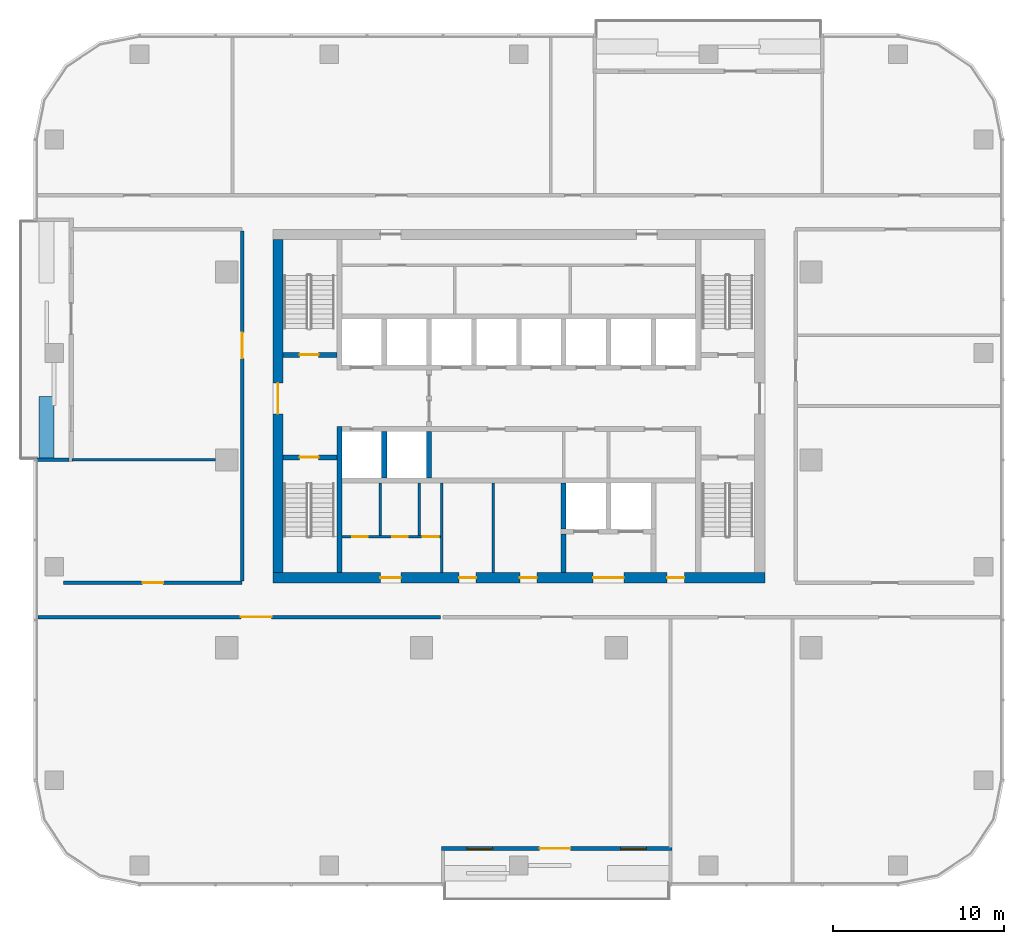
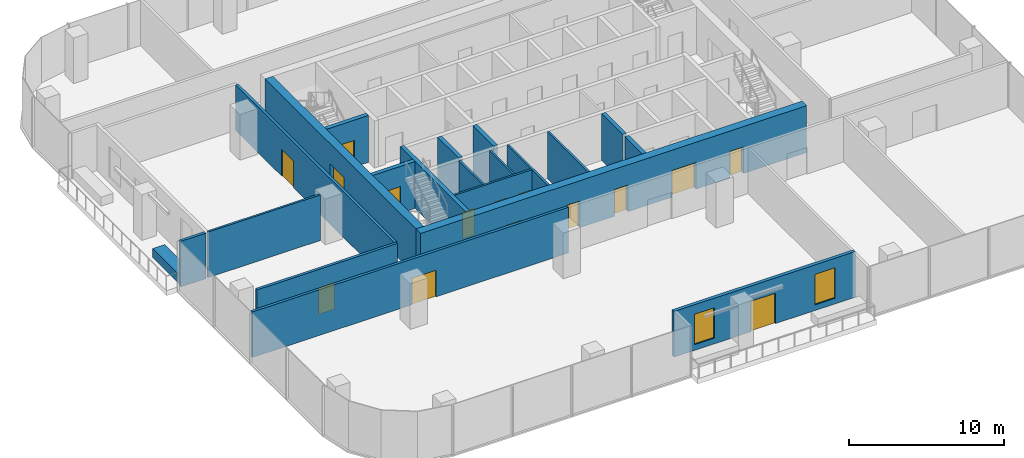
# One storey, part 7 of 14: 21 walls, 15 doors, 2 windows, 17 openings.
"""IFC4 building model written with IfcOpenShell, lengths in metres."""

from ifc_helpers import new_model, si_unit, direction, frame, frame_2d, origin, place, context, subcontext, project, spatial, rectangle, extrude, material, layer, layer_set, type_object, element, fill, save


model = new_model("IFC4")

# Units and contexts
model_context = context("Model", 3, precision=1e-05, world=origin(), true_north=direction((0.0, 1.0)))
body_context = subcontext(model_context, "Body", "Model", "MODEL_VIEW")
ifc_project = project(units=[si_unit("LENGTHUNIT", "METRE"), si_unit("AREAUNIT", "SQUARE_METRE"), si_unit("VOLUMEUNIT", "CUBIC_METRE"), si_unit("PLANEANGLEUNIT", "RADIAN"), si_unit("MASSUNIT", "GRAM", prefix="KILO")], contexts=[model_context])

# Site, building, storey
site_placement = place(None, origin())
site = spatial("IfcSite", under=ifc_project, at=site_placement, CompositionType="ELEMENT")
building_placement = place(site_placement, origin())
building = spatial("IfcBuilding", under=site, at=building_placement, Name="Mopane Tessera Tower", CompositionType="ELEMENT")
storey_placement = place(building_placement, frame((0.0, 0.0, 251.0)))
storey = spatial("IfcBuildingStorey", under=building, at=storey_placement, Name="L54", CompositionType="ELEMENT", Elevation=251.0)

# Wall, openings, doors
ifc_material_1 = material(Name="Fire-rated gypsum board partition")
ifc_layer_1 = layer(ifc_material_1, 0.14990234375)
ifc_layer_set_1 = layer_set([ifc_layer_1], Name="Fire-rated gypsum board partition")
wall_type_1 = type_object("IfcWallType", Name="Core room partition 150 mm", PredefinedType="PARTITIONING", material=ifc_layer_set_1)
wall_1_placement = place(storey_placement, frame((-10.35009765625, -4.5, 0.0), z_axis=(0.0, 0.0, 1.0), x_axis=(1.0, 0.0, 0.0)))
wall_1 = element("IfcWall", 1, at=wall_1_placement, inside=storey, type_object=wall_type_1, Name="L54 WC partition", PredefinedType="PARTITIONING", context=body_context, shape_type="SweptSolid", body=[
    extrude(rectangle(XDim=5.775146484375, YDim=0.14990234375, at=frame_2d((2.8876953125, 0.0))), origin(), (0.0, 0.0, 1.0), 3.699951171875),
])
opening_1_placement = place(wall_1_placement, frame((0.60009765625, 0.0, 0.0)))
opening_1 = element("IfcOpeningElement", 2, at=opening_1_placement, cuts=wall_1, Name="Opening WD1", PredefinedType="OPENING", context=body_context, shape_type="SweptSolid", body=[
    extrude(rectangle(XDim=0.89990234375, YDim=2.10009765625, at=frame_2d((0.449951171875, 1.050048828125))), frame((0.0, 0.0869140625, 0.0), z_axis=(0.0, -1.0, 0.0), x_axis=(1.0, 0.0, 0.0)), (0.0, 0.0, 1.0), 0.173828125),
])
opening_2_placement = place(wall_1_placement, frame((2.93994140625, 0.0, 0.0)))
opening_2 = element("IfcOpeningElement", 3, at=opening_2_placement, cuts=wall_1, Name="Opening WD1", PredefinedType="OPENING", context=body_context, shape_type="SweptSolid", body=[
    extrude(rectangle(XDim=0.89990234375, YDim=2.10009765625, at=frame_2d((0.449951171875, 1.050048828125))), frame((0.0, 0.0869140625, 0.0), z_axis=(0.0, -1.0, 0.0), x_axis=(1.0, 0.0, 0.0)), (0.0, 0.0, 1.0), 0.173828125),
])
opening_3_placement = place(wall_1_placement, frame((4.715087890625, 0.0, 0.0)))
opening_3 = element("IfcOpeningElement", 4, at=opening_3_placement, cuts=wall_1, Name="Opening WD2", PredefinedType="OPENING", context=body_context, shape_type="SweptSolid", body=[
    extrude(rectangle(XDim=0.949951171875, YDim=2.10009765625, at=frame_2d((0.47509765625, 1.050048828125))), frame((0.0, 0.0869140625, 0.0), z_axis=(0.0, -1.0, 0.0), x_axis=(1.0, 0.0, 0.0)), (0.0, 0.0, 1.0), 0.173828125),
])
ifc_material_2 = material(Name="Timber door", Category="wood")
door_type_1 = type_object("IfcDoorType", Name="Accessible WC door 950 x 2100", OperationType="SINGLE_SWING_LEFT", PredefinedType="DOOR", material=ifc_material_2)
door_1_placement = place(opening_3_placement, origin())
door_1 = element("IfcDoor", 5, at=door_1_placement, inside=storey, type_object=door_type_1, Name="L54 Accessible WC door", OperationType="SINGLE_SWING_LEFT", OverallHeight=2.10009765625, OverallWidth=0.949951171875, PredefinedType="DOOR", context=body_context, shape_type="SweptSolid", body=[
    extrude(rectangle(XDim=0.949951171875, YDim=2.10009765625, at=frame_2d((0.47509765625, 1.050048828125))), frame((0.0, 0.02490234375, 0.0), z_axis=(0.0, -1.0, 0.0), x_axis=(1.0, 0.0, 0.0)), (0.0, 0.0, 1.0), 0.050048828125),
])
fill(opening_3, door_1)
ifc_material_3 = material(Name="Timber door", Category="wood")
door_type_2 = type_object("IfcDoorType", Name="WC cubicle door 900 x 2100", OperationType="SINGLE_SWING_LEFT", PredefinedType="DOOR", material=ifc_material_3)
door_2_placement = place(opening_1_placement, origin())
door_2 = element("IfcDoor", 6, at=door_2_placement, inside=storey, type_object=door_type_2, Name="L54 Men's WC door", OperationType="SINGLE_SWING_LEFT", OverallHeight=2.10009765625, OverallWidth=0.89990234375, PredefinedType="DOOR", context=body_context, shape_type="SweptSolid", body=[
    extrude(rectangle(XDim=0.89990234375, YDim=2.10009765625, at=frame_2d((0.449951171875, 1.050048828125))), frame((0.0, 0.02490234375, 0.0), z_axis=(0.0, -1.0, 0.0), x_axis=(1.0, 0.0, 0.0)), (0.0, 0.0, 1.0), 0.050048828125),
])
fill(opening_1, door_2)
door_3_placement = place(opening_2_placement, origin())
door_3 = element("IfcDoor", 7, at=door_3_placement, inside=storey, type_object=door_type_2, Name="L54 Women's WC door", OperationType="SINGLE_SWING_LEFT", OverallHeight=2.10009765625, OverallWidth=0.89990234375, PredefinedType="DOOR", context=body_context, shape_type="SweptSolid", body=[
    extrude(rectangle(XDim=0.89990234375, YDim=2.10009765625, at=frame_2d((0.449951171875, 1.050048828125))), frame((0.0, 0.02490234375, 0.0), z_axis=(0.0, -1.0, 0.0), x_axis=(1.0, 0.0, 0.0)), (0.0, 0.0, 1.0), 0.050048828125),
])
fill(opening_2, door_3)

# Walls
for number, where, z_axis, x_axis, name in (
    (8, (-8.10009765625, -4.425048828125, 0.0), (0.0, 0.0, 1.0), (0.0, 1.0, 0.0), "L54 WC partition"),
    (9, (-5.820068359375, -4.425048828125, 0.0), (0.0, 0.0, 1.0), (0.0, 1.0, 0.0), "L54 WC partition"),
):
    element("IfcWall", number, at=place(storey_placement, frame(where, z_axis=z_axis, x_axis=x_axis)), inside=storey, type_object=wall_type_1, Name=name, PredefinedType="PARTITIONING", context=body_context, shape_type="SweptSolid", body=[
        extrude(rectangle(XDim=3.074951171875, YDim=0.14990234375, at=frame_2d((1.53759765625, 0.0))), origin(), (0.0, 0.0, 1.0), 3.699951171875),
    ])
for number, where, z_axis, x_axis, name in (
    (10, (-4.5, -6.60009765625, 0.0), (0.0, 0.0, 1.0), (0.0, 1.0, 0.0), "L54 Room partition"),
    (11, (-1.5, -6.60009765625, 0.0), (0.0, 0.0, 1.0), (0.0, 1.0, 0.0), "L54 Room partition"),
):
    element("IfcWall", number, at=place(storey_placement, frame(where, z_axis=z_axis, x_axis=x_axis)), inside=storey, type_object=wall_type_1, Name=name, PredefinedType="PARTITIONING", context=body_context, shape_type="SweptSolid", body=[
        extrude(rectangle(XDim=5.25, YDim=0.14990234375, at=frame_2d((2.625, 0.0))), origin(), (0.0, 0.0, 1.0), 3.699951171875),
    ])

# Wall, openings, doors
ifc_material_4 = material(Name="Concrete C70/85", Category="concrete")
ifc_layer_2 = layer(ifc_material_4, 0.60009765625)
ifc_layer_set_2 = layer_set([ifc_layer_2], Name="Concrete C70/85")
wall_type_2 = type_object("IfcWallType", Name="Core shear wall 600 mm", PredefinedType="SHEAR", material=ifc_layer_set_2)
wall_2_placement = place(storey_placement, frame((-14.39990234375, -6.89990234375, 0.0), z_axis=(0.0, 0.0, 1.0), x_axis=(1.0, 0.0, 0.0)))
wall_2 = element("IfcWall", 12, at=wall_2_placement, inside=storey, type_object=wall_type_2, Name="L54 Core wall south", PredefinedType="SHEAR", context=body_context, shape_type="SweptSolid", body=[
    extrude(rectangle(XDim=28.7998046875, YDim=0.60009765625, at=frame_2d((14.39990234375, 0.0))), origin(), (0.0, 0.0, 1.0), 3.699951171875),
])
opening_4_placement = place(wall_2_placement, frame((6.300048828125, 0.0, 0.0)))
opening_4 = element("IfcOpeningElement", 13, at=opening_4_placement, cuts=wall_2, Name="Opening WD3", PredefinedType="OPENING", context=body_context, shape_type="SweptSolid", body=[
    extrude(rectangle(XDim=1.199951171875, YDim=2.10009765625, at=frame_2d((0.60009765625, 1.050048828125))), frame((0.0, 0.31201171875, 0.0), z_axis=(0.0, -1.0, 0.0), x_axis=(1.0, 0.0, 0.0)), (0.0, 0.0, 1.0), 0.6240234375),
])
opening_5_placement = place(wall_2_placement, frame((10.89990234375, 0.0, 0.0)))
opening_5 = element("IfcOpeningElement", 14, at=opening_5_placement, cuts=wall_2, Name="Opening RD1", PredefinedType="OPENING", context=body_context, shape_type="SweptSolid", body=[
    extrude(rectangle(XDim=1.0, YDim=2.10009765625, at=frame_2d((0.5, 1.050048828125))), frame((0.0, 0.31201171875, 0.0), z_axis=(0.0, -1.0, 0.0), x_axis=(1.0, 0.0, 0.0)), (0.0, 0.0, 1.0), 0.6240234375),
])
opening_6_placement = place(wall_2_placement, frame((14.46240234375, 0.0, 0.0)))
opening_6 = element("IfcOpeningElement", 15, at=opening_6_placement, cuts=wall_2, Name="Opening RD1", PredefinedType="OPENING", context=body_context, shape_type="SweptSolid", body=[
    extrude(rectangle(XDim=1.0, YDim=2.10009765625, at=frame_2d((0.5, 1.050048828125))), frame((0.0, 0.31201171875, 0.0), z_axis=(0.0, -1.0, 0.0), x_axis=(1.0, 0.0, 0.0)), (0.0, 0.0, 1.0), 0.6240234375),
])
opening_7_placement = place(wall_2_placement, frame((18.75, 0.0, 0.0)))
opening_7 = element("IfcOpeningElement", 16, at=opening_7_placement, cuts=wall_2, Name="Opening SD2", PredefinedType="OPENING", context=body_context, shape_type="SweptSolid", body=[
    extrude(rectangle(XDim=1.800048828125, YDim=2.10009765625, at=frame_2d((0.89990234375, 1.050048828125))), frame((0.0, 0.31201171875, 0.0), z_axis=(0.0, -1.0, 0.0), x_axis=(1.0, 0.0, 0.0)), (0.0, 0.0, 1.0), 0.6240234375),
])
opening_8_placement = place(wall_2_placement, frame((23.08740234375, 0.0, 0.0)))
opening_8 = element("IfcOpeningElement", 17, at=opening_8_placement, cuts=wall_2, Name="Opening RD1", PredefinedType="OPENING", context=body_context, shape_type="SweptSolid", body=[
    extrude(rectangle(XDim=1.0, YDim=2.10009765625, at=frame_2d((0.5, 1.050048828125))), frame((0.0, 0.31201171875, 0.0), z_axis=(0.0, -1.0, 0.0), x_axis=(1.0, 0.0, 0.0)), (0.0, 0.0, 1.0), 0.6240234375),
])
ifc_material_5 = material(Name="Steel fire door", Category="steel")
door_type_3 = type_object("IfcDoorType", Name="Core entrance double door 1800 x 2100", OperationType="DOUBLE_DOOR_SINGLE_SWING", PredefinedType="DOOR", material=ifc_material_5)
door_4_placement = place(opening_7_placement, origin())
door_4 = element("IfcDoor", 18, at=door_4_placement, inside=storey, type_object=door_type_3, Name="L54 Service lobby door", OperationType="DOUBLE_DOOR_SINGLE_SWING", OverallHeight=2.10009765625, OverallWidth=1.800048828125, PredefinedType="DOOR", context=body_context, shape_type="SweptSolid", body=[
    extrude(rectangle(XDim=1.800048828125, YDim=2.10009765625, at=frame_2d((0.89990234375, 1.050048828125))), frame((0.0, 0.02490234375, 0.0), z_axis=(0.0, -1.0, 0.0), x_axis=(1.0, 0.0, 0.0)), (0.0, 0.0, 1.0), 0.050048828125),
])
fill(opening_7, door_4)
ifc_material_6 = material(Name="Timber door", Category="wood")
door_type_4 = type_object("IfcDoorType", Name="Core room door 1000 x 2100", OperationType="SINGLE_SWING_LEFT", PredefinedType="DOOR", material=ifc_material_6)
door_5_placement = place(opening_5_placement, origin())
door_5 = element("IfcDoor", 19, at=door_5_placement, inside=storey, type_object=door_type_4, Name="L54 Room door", OperationType="SINGLE_SWING_LEFT", OverallHeight=2.10009765625, OverallWidth=1.0, PredefinedType="DOOR", context=body_context, shape_type="SweptSolid", body=[
    extrude(rectangle(XDim=1.0, YDim=2.10009765625, at=frame_2d((0.5, 1.050048828125))), frame((0.0, 0.02490234375, 0.0), z_axis=(0.0, -1.0, 0.0), x_axis=(1.0, 0.0, 0.0)), (0.0, 0.0, 1.0), 0.050048828125),
])
fill(opening_5, door_5)
door_6_placement = place(opening_6_placement, origin())
door_6 = element("IfcDoor", 20, at=door_6_placement, inside=storey, type_object=door_type_4, Name="L54 Room door", OperationType="SINGLE_SWING_LEFT", OverallHeight=2.10009765625, OverallWidth=1.0, PredefinedType="DOOR", context=body_context, shape_type="SweptSolid", body=[
    extrude(rectangle(XDim=1.0, YDim=2.10009765625, at=frame_2d((0.5, 1.050048828125))), frame((0.0, 0.02490234375, 0.0), z_axis=(0.0, -1.0, 0.0), x_axis=(1.0, 0.0, 0.0)), (0.0, 0.0, 1.0), 0.050048828125),
])
fill(opening_6, door_6)
door_7_placement = place(opening_8_placement, origin())
door_7 = element("IfcDoor", 21, at=door_7_placement, inside=storey, type_object=door_type_4, Name="L54 Room door", OperationType="SINGLE_SWING_LEFT", OverallHeight=2.10009765625, OverallWidth=1.0, PredefinedType="DOOR", context=body_context, shape_type="SweptSolid", body=[
    extrude(rectangle(XDim=1.0, YDim=2.10009765625, at=frame_2d((0.5, 1.050048828125))), frame((0.0, 0.02490234375, 0.0), z_axis=(0.0, -1.0, 0.0), x_axis=(1.0, 0.0, 0.0)), (0.0, 0.0, 1.0), 0.050048828125),
])
fill(opening_8, door_7)
ifc_material_7 = material(Name="Timber door", Category="wood")
door_type_5 = type_object("IfcDoorType", Name="WC lobby door 1200 x 2100", OperationType="SINGLE_SWING_LEFT", PredefinedType="DOOR", material=ifc_material_7)
door_8_placement = place(opening_4_placement, origin())
door_8 = element("IfcDoor", 22, at=door_8_placement, inside=storey, type_object=door_type_5, Name="L54 WC lobby door", OperationType="SINGLE_SWING_LEFT", OverallHeight=2.10009765625, OverallWidth=1.199951171875, PredefinedType="DOOR", context=body_context, shape_type="SweptSolid", body=[
    extrude(rectangle(XDim=1.199951171875, YDim=2.10009765625, at=frame_2d((0.60009765625, 1.050048828125))), frame((0.0, 0.02490234375, 0.0), z_axis=(0.0, -1.0, 0.0), x_axis=(1.0, 0.0, 0.0)), (0.0, 0.0, 1.0), 0.050048828125),
])
fill(opening_4, door_8)

# Wall, opening, door
wall_3_placement = place(storey_placement, frame((-14.10009765625, -6.60009765625, 0.0), z_axis=(0.0, 0.0, 1.0), x_axis=(0.0, 1.0, 0.0)))
wall_3 = element("IfcWall", 23, at=wall_3_placement, inside=storey, type_object=wall_type_2, Name="L54 Core wall west", PredefinedType="SHEAR", context=body_context, shape_type="SweptSolid", body=[
    extrude(rectangle(XDim=19.5, YDim=0.60009765625, at=frame_2d((9.75, 0.0))), origin(), (0.0, 0.0, 1.0), 3.699951171875),
])
opening_9_placement = place(wall_3_placement, frame((9.300048828125, 0.0, 0.0)))
opening_9 = element("IfcOpeningElement", 24, at=opening_9_placement, cuts=wall_3, Name="Opening SD2", PredefinedType="OPENING", context=body_context, shape_type="SweptSolid", body=[
    extrude(rectangle(XDim=1.800048828125, YDim=2.10009765625, at=frame_2d((0.89990234375, 1.050048828125))), frame((0.0, 0.31201171875, 0.0), z_axis=(0.0, -1.0, 0.0), x_axis=(1.0, 0.0, 0.0)), (0.0, 0.0, 1.0), 0.6240234375),
])
door_9_placement = place(opening_9_placement, origin())
door_9 = element("IfcDoor", 25, at=door_9_placement, inside=storey, type_object=door_type_3, Name="L54 Core entrance door west", OperationType="DOUBLE_DOOR_SINGLE_SWING", OverallHeight=2.10009765625, OverallWidth=1.800048828125, PredefinedType="DOOR", context=body_context, shape_type="SweptSolid", body=[
    extrude(rectangle(XDim=1.800048828125, YDim=2.10009765625, at=frame_2d((0.89990234375, 1.050048828125))), frame((0.0, 0.02490234375, 0.0), z_axis=(0.0, -1.0, 0.0), x_axis=(1.0, 0.0, 0.0)), (0.0, 0.0, 1.0), 0.050048828125),
])
fill(opening_9, door_9)

# Wall
ifc_material_8 = material(Name="Concrete C60/75", Category="concrete")
ifc_layer_3 = layer(ifc_material_8, 0.300048828125)
ifc_layer_set_3 = layer_set([ifc_layer_3], Name="Concrete C60/75")
wall_type_3 = type_object("IfcWallType", Name="Core spine wall 300 mm", PredefinedType="SHEAR", material=ifc_layer_set_3)
wall_4_placement = place(storey_placement, frame((-10.5, -6.60009765625, 0.0), z_axis=(0.0, 0.0, 1.0), x_axis=(0.0, 1.0, 0.0)))
element("IfcWall", 26, at=wall_4_placement, inside=storey, type_object=wall_type_3, Name="L54 Core spine wall", PredefinedType="SHEAR", context=body_context, shape_type="SweptSolid", body=[
    extrude(rectangle(XDim=8.550048828125, YDim=0.300048828125, at=frame_2d((4.27490234375, 0.0))), origin(), (0.0, 0.0, 1.0), 3.699951171875),
])

# Wall, opening, door
ifc_material_9 = material(Name="Gypsum board on steel studs, two layers each face, mineral wool infill", Category="steel")
ifc_layer_4 = layer(ifc_material_9, 0.199951171875)
ifc_layer_set_4 = layer_set([ifc_layer_4], Name="Gypsum board on steel studs, two layers each face, mineral wool infill")
wall_type_4 = type_object("IfcWallType", Name="Gypsum board corridor wall 200, rated EI 60", PredefinedType="PARTITIONING", material=ifc_layer_set_4)
wall_5_placement = place(storey_placement, frame((-28.14990234375, -9.199951171875, 0.0), z_axis=(0.0, 0.0, 1.0), x_axis=(1.0, 0.0, 0.0)))
wall_5 = element("IfcWall", 27, at=wall_5_placement, inside=storey, type_object=wall_type_4, Name="Partition L54:000", PredefinedType="PARTITIONING", context=body_context, shape_type="SweptSolid", body=[
    extrude(rectangle(XDim=23.559814453125, YDim=0.199951171875, at=frame_2d((11.77978515625, 0.0))), origin(), (0.0, 0.0, 1.0), 3.60009765625),
])
opening_10_placement = place(wall_5_placement, frame((11.8798828125, 0.0, 0.0)))
opening_10 = element("IfcOpeningElement", 28, at=opening_10_placement, cuts=wall_5, Name="Opening L54-09", PredefinedType="OPENING", context=body_context, shape_type="SweptSolid", body=[
    extrude(rectangle(XDim=1.800048828125, YDim=2.10009765625, at=frame_2d((0.89990234375, 1.050048828125))), frame((0.0, 0.112060546875, 0.0), z_axis=(0.0, -1.0, 0.0), x_axis=(1.0, 0.0, 0.0)), (0.0, 0.0, 1.0), 0.223876953125),
])
ifc_material_10 = material(Name="Timber veneered steel-framed fire door", Category="steel")
door_type_6 = type_object("IfcDoorType", Name="Fire door pair FD60 1800 x 2100", OperationType="DOUBLE_DOOR_SINGLE_SWING", PredefinedType="DOOR", material=ifc_material_10)
door_10_placement = place(opening_10_placement, origin())
door_10 = element("IfcDoor", 29, at=door_10_placement, inside=storey, type_object=door_type_6, Name="Door L54-09", ObjectType="D20A", OperationType="DOUBLE_DOOR_SINGLE_SWING", OverallHeight=2.10009765625, OverallWidth=1.800048828125, PredefinedType="DOOR", context=body_context, shape_type="SweptSolid", body=[
    extrude(rectangle(XDim=1.800048828125, YDim=2.10009765625, at=frame_2d((0.89990234375, 1.050048828125))), frame((0.0, 0.02490234375, 0.0), z_axis=(0.0, -1.0, 0.0), x_axis=(1.0, 0.0, 0.0)), (0.0, 0.0, 1.0), 0.050048828125),
])
fill(opening_10, door_10)

wall_6_placement = place(storey_placement, frame((-26.64990234375, -7.199951171875, 0.0), z_axis=(0.0, 0.0, 1.0), x_axis=(1.0, 0.0, 0.0)))
wall_6 = element("IfcWall", 30, at=wall_6_placement, inside=storey, type_object=wall_type_4, Name="Partition L54:002", PredefinedType="PARTITIONING", context=body_context, shape_type="SweptSolid", body=[
    extrude(rectangle(XDim=10.449951171875, YDim=0.199951171875, at=frame_2d((5.22509765625, 0.0))), origin(), (0.0, 0.0, 1.0), 3.60009765625),
])
opening_11_placement = place(wall_6_placement, frame((4.625, 0.0, 0.0)))
opening_11 = element("IfcOpeningElement", 31, at=opening_11_placement, cuts=wall_6, Name="Opening L54-08", PredefinedType="OPENING", context=body_context, shape_type="SweptSolid", body=[
    extrude(rectangle(XDim=1.199951171875, YDim=2.10009765625, at=frame_2d((0.60009765625, 1.050048828125))), frame((0.0, 0.112060546875, 0.0), z_axis=(0.0, -1.0, 0.0), x_axis=(1.0, 0.0, 0.0)), (0.0, 0.0, 1.0), 0.223876953125),
])
ifc_material_11 = material(Name="Timber veneered steel-framed fire door", Category="steel")
door_type_7 = type_object("IfcDoorType", Name="Fire door FD60 1200 x 2100", OperationType="SINGLE_SWING_LEFT", PredefinedType="DOOR", material=ifc_material_11)
door_11_placement = place(opening_11_placement, origin())
door_11 = element("IfcDoor", 32, at=door_11_placement, inside=storey, type_object=door_type_7, Name="Door L54-08", ObjectType="D15A", OperationType="SINGLE_SWING_LEFT", OverallHeight=2.10009765625, OverallWidth=1.199951171875, PredefinedType="DOOR", context=body_context, shape_type="SweptSolid", body=[
    extrude(rectangle(XDim=1.199951171875, YDim=2.10009765625, at=frame_2d((0.60009765625, 1.050048828125))), frame((0.0, 0.02490234375, 0.0), z_axis=(0.0, -1.0, 0.0), x_axis=(1.0, 0.0, 0.0)), (0.0, 0.0, 1.0), 0.050048828125),
])
fill(opening_11, door_11)

wall_7_placement = place(storey_placement, frame((-16.199951171875, -7.10009765625, 0.0), z_axis=(0.0, 0.0, 1.0), x_axis=(0.0, 1.0, 0.0)))
wall_7 = element("IfcWall", 33, at=wall_7_placement, inside=storey, type_object=wall_type_4, Name="Partition L54:011", PredefinedType="PARTITIONING", context=body_context, shape_type="SweptSolid", body=[
    extrude(rectangle(XDim=20.5, YDim=0.199951171875, at=frame_2d((10.25, 0.0))), origin(), (0.0, 0.0, 1.0), 3.60009765625),
])
opening_12_placement = place(wall_7_placement, frame((13.050048828125, 0.0, 0.0)))
opening_12 = element("IfcOpeningElement", 34, at=opening_12_placement, cuts=wall_7, Name="Opening L54-03", PredefinedType="OPENING", context=body_context, shape_type="SweptSolid", body=[
    extrude(rectangle(XDim=1.5, YDim=2.10009765625, at=frame_2d((0.75, 1.050048828125))), frame((0.0, 0.112060546875, 0.0), z_axis=(0.0, -1.0, 0.0), x_axis=(1.0, 0.0, 0.0)), (0.0, 0.0, 1.0), 0.223876953125),
])
ifc_material_12 = material(Name="Timber veneered steel-framed fire door", Category="steel")
door_type_8 = type_object("IfcDoorType", Name="Fire door pair FD60 1500 x 2100", OperationType="DOUBLE_DOOR_SINGLE_SWING", PredefinedType="DOOR", material=ifc_material_12)
door_12_placement = place(opening_12_placement, origin())
door_12 = element("IfcDoor", 35, at=door_12_placement, inside=storey, type_object=door_type_8, Name="Door L54-03", ObjectType="D17A", OperationType="DOUBLE_DOOR_SINGLE_SWING", OverallHeight=2.10009765625, OverallWidth=1.5, PredefinedType="DOOR", context=body_context, shape_type="SweptSolid", body=[
    extrude(rectangle(XDim=1.5, YDim=2.10009765625, at=frame_2d((0.75, 1.050048828125))), frame((0.0, 0.02490234375, 0.0), z_axis=(0.0, -1.0, 0.0), x_axis=(1.0, 0.0, 0.0)), (0.0, 0.0, 1.0), 0.050048828125),
])
fill(opening_12, door_12)

# Wall
ifc_material_13 = material(Name="Gypsum board on steel studs, mineral wool infill", Category="steel")
ifc_layer_5 = layer(ifc_material_13, 0.14990234375)
ifc_layer_set_5 = layer_set([ifc_layer_5], Name="Gypsum board on steel studs, mineral wool infill")
wall_type_5 = type_object("IfcWallType", Name="Gypsum board partition 150, rated EI 60", PredefinedType="PARTITIONING", material=ifc_layer_set_5)
wall_8_placement = place(storey_placement, frame((-26.14990234375, 0.0, 0.0), z_axis=(0.0, 0.0, 1.0), x_axis=(1.0, 0.0, 0.0)))
element("IfcWall", 36, at=wall_8_placement, inside=storey, type_object=wall_type_5, Name="Partition L54:004", PredefinedType="PARTITIONING", context=body_context, shape_type="SweptSolid", body=[
    extrude(rectangle(XDim=8.39990234375, YDim=0.14990234375, at=frame_2d((4.199951171875, 0.0))), origin(), (0.0, 0.0, 1.0), 3.60009765625),
])

# Wall, opening, door
ifc_material_14 = material(Name="Concrete C50/60", Category="concrete")
ifc_layer_6 = layer(ifc_material_14, 0.300048828125)
ifc_layer_set_6 = layer_set([ifc_layer_6], Name="Concrete C50/60")
wall_type_6 = type_object("IfcWallType", Name="Lift and stair shaft wall 300 mm", PredefinedType="SOLIDWALL", material=ifc_layer_set_6)
wall_9_placement = place(storey_placement, frame((-13.800048828125, 0.14990234375, 0.0), z_axis=(0.0, 0.0, 1.0), x_axis=(1.0, 0.0, 0.0)))
wall_9 = element("IfcWall", 37, at=wall_9_placement, inside=storey, type_object=wall_type_6, Name="L54 Stair enclosure wall", PredefinedType="SOLIDWALL", context=body_context, shape_type="SweptSolid", body=[
    extrude(rectangle(XDim=3.150146484375, YDim=0.300048828125, at=frame_2d((1.5751953125, 0.0))), origin(), (0.0, 0.0, 1.0), 3.699951171875),
])
opening_13_placement = place(wall_9_placement, frame((0.97509765625, 0.0, 0.0)))
opening_13 = element("IfcOpeningElement", 38, at=opening_13_placement, cuts=wall_9, Name="Opening SD1", PredefinedType="OPENING", context=body_context, shape_type="SweptSolid", body=[
    extrude(rectangle(XDim=1.10009765625, YDim=2.10009765625, at=frame_2d((0.550048828125, 1.050048828125))), frame((0.0, 0.162109375, 0.0), z_axis=(0.0, -1.0, 0.0), x_axis=(1.0, 0.0, 0.0)), (0.0, 0.0, 1.0), 0.323974609375),
])
ifc_material_15 = material(Name="Steel fire door", Category="steel")
door_type_9 = type_object("IfcDoorType", Name="Stair fire door 1100 x 2100", OperationType="SINGLE_SWING_LEFT", PredefinedType="DOOR", material=ifc_material_15)
door_13_placement = place(opening_13_placement, origin())
door_13 = element("IfcDoor", 39, at=door_13_placement, inside=storey, type_object=door_type_9, Name="L54 Stair door ST1", OperationType="SINGLE_SWING_LEFT", OverallHeight=2.10009765625, OverallWidth=1.10009765625, PredefinedType="DOOR", context=body_context, shape_type="SweptSolid", body=[
    extrude(rectangle(XDim=1.10009765625, YDim=2.10009765625, at=frame_2d((0.550048828125, 1.050048828125))), frame((0.0, 0.02490234375, 0.0), z_axis=(0.0, -1.0, 0.0), x_axis=(1.0, 0.0, 0.0)), (0.0, 0.0, 1.0), 0.050048828125),
])
fill(opening_13, door_13)

wall_10_placement = place(storey_placement, frame((-13.800048828125, 6.14990234375, 0.0), z_axis=(0.0, 0.0, 1.0), x_axis=(1.0, 0.0, 0.0)))
wall_10 = element("IfcWall", 40, at=wall_10_placement, inside=storey, type_object=wall_type_6, Name="L54 Stair enclosure wall", PredefinedType="SOLIDWALL", context=body_context, shape_type="SweptSolid", body=[
    extrude(rectangle(XDim=3.150146484375, YDim=0.300048828125, at=frame_2d((1.5751953125, 0.0))), origin(), (0.0, 0.0, 1.0), 3.699951171875),
])
opening_14_placement = place(wall_10_placement, frame((0.97509765625, 0.0, 0.0)))
opening_14 = element("IfcOpeningElement", 41, at=opening_14_placement, cuts=wall_10, Name="Opening SD1", PredefinedType="OPENING", context=body_context, shape_type="SweptSolid", body=[
    extrude(rectangle(XDim=1.10009765625, YDim=2.10009765625, at=frame_2d((0.550048828125, 1.050048828125))), frame((0.0, 0.162109375, 0.0), z_axis=(0.0, -1.0, 0.0), x_axis=(1.0, 0.0, 0.0)), (0.0, 0.0, 1.0), 0.323974609375),
])
door_14_placement = place(opening_14_placement, origin())
door_14 = element("IfcDoor", 42, at=door_14_placement, inside=storey, type_object=door_type_9, Name="L54 Stair door ST2", OperationType="SINGLE_SWING_LEFT", OverallHeight=2.10009765625, OverallWidth=1.10009765625, PredefinedType="DOOR", context=body_context, shape_type="SweptSolid", body=[
    extrude(rectangle(XDim=1.10009765625, YDim=2.10009765625, at=frame_2d((0.550048828125, 1.050048828125))), frame((0.0, 0.02490234375, 0.0), z_axis=(0.0, -1.0, 0.0), x_axis=(1.0, 0.0, 0.0)), (0.0, 0.0, 1.0), 0.050048828125),
])
fill(opening_14, door_14)

# Walls
for number, where, z_axis, x_axis, name in (
    (43, (-7.875, -1.050048828125, 0.0), (0.0, 0.0, 1.0), (0.0, 1.0, 0.0), "L54 Lift shaft wall"),
    (44, (-5.25, -1.050048828125, 0.0), (0.0, 0.0, 1.0), (0.0, 1.0, 0.0), "L54 Lift shaft wall"),
    (45, (2.625, -4.050048828125, 0.0), (0.0, 0.0, 1.0), (0.0, 1.0, 0.0), "L54 Lift shaft wall"),
):
    element("IfcWall", number, at=place(storey_placement, frame(where, z_axis=z_axis, x_axis=x_axis)), inside=storey, type_object=wall_type_6, Name=name, PredefinedType="SOLIDWALL", context=body_context, shape_type="SweptSolid", body=[
        extrude(rectangle(XDim=2.699951171875, YDim=0.300048828125, at=frame_2d((1.35009765625, 0.0))), origin(), (0.0, 0.0, 1.0), 3.699951171875),
    ])
ifc_material_16 = material(Name="Concrete C50/60", Category="concrete")
ifc_layer_7 = layer(ifc_material_16, 0.300048828125)
ifc_layer_set_7 = layer_set([ifc_layer_7], Name="Concrete C50/60")
wall_type_7 = type_object("IfcWallType", Name="Lobby and refuge room wall 300 mm", PredefinedType="SOLIDWALL", material=ifc_layer_set_7)
wall_11_placement = place(storey_placement, frame((2.625, -6.60009765625, 0.0), z_axis=(0.0, 0.0, 1.0), x_axis=(0.0, 1.0, 0.0)))
element("IfcWall", 46, at=wall_11_placement, inside=storey, type_object=wall_type_7, Name="L54 Service lobby wall", PredefinedType="SOLIDWALL", context=body_context, shape_type="SweptSolid", body=[
    extrude(rectangle(XDim=2.25, YDim=0.300048828125, at=frame_2d((1.125, 0.0))), origin(), (0.0, 0.0, 1.0), 3.699951171875),
])
ifc_material_17 = material(Name="Reinforced concrete C32/40 with waterproofing", Category="concrete")
ifc_layer_8 = layer(ifc_material_17, 0.89990234375)
ifc_layer_set_8 = layer_set([ifc_layer_8], Name="Reinforced concrete C32/40 with waterproofing")
wall_type_8 = type_object("IfcWallType", Name="Planter trough 3600 x 900", PredefinedType="STANDARD", material=ifc_layer_set_8)
wall_12_placement = place(storey_placement, frame((-27.64990234375, 3.699951171875, 0.0), z_axis=(0.0, 0.0, 1.0), x_axis=(0.0, -1.0, 0.0)))
element("IfcWall", 47, at=wall_12_placement, inside=storey, type_object=wall_type_8, Name="e:nw:L54:N3:pl1", PredefinedType="STANDARD", context=body_context, shape_type="SweptSolid", body=[
    extrude(rectangle(XDim=3.599853515625, YDim=0.89990234375, at=frame_2d((1.7998046875, 0.0))), origin(), (0.0, 0.0, 1.0), 0.699951171875),
])
ifc_material_18 = material(Name="Blockwork with glazed tile facing", Category="masonry")
ifc_layer_9 = layer(ifc_material_18, 0.199951171875)
ifc_layer_set_9 = layer_set([ifc_layer_9], Name="Blockwork with glazed tile facing")
wall_type_9 = type_object("IfcWallType", Name="Terrace cheek wall 200", PredefinedType="STANDARD", material=ifc_layer_set_9)
wall_13_placement = place(storey_placement, frame((-28.199951171875, 0.0, 0.0), z_axis=(0.0, 0.0, 1.0), x_axis=(1.0, 0.0, 0.0)))
element("IfcWall", 48, at=wall_13_placement, inside=storey, type_object=wall_type_9, Name="e:nw:L54:N3:cheekb", PredefinedType="STANDARD", context=body_context, shape_type="SweptSolid", body=[
    extrude(rectangle(XDim=1.875, YDim=0.199951171875, at=frame_2d((0.9375, 0.0))), origin(), (0.0, 0.0, 1.0), 3.60009765625),
])

# Wall, openings, windows, door
ifc_material_19 = material(Name="Blockwork with ochre glazed tile facing", Category="masonry")
ifc_layer_10 = layer(ifc_material_19, 0.25)
ifc_layer_set_10 = layer_set([ifc_layer_10], Name="Blockwork with ochre glazed tile facing")
wall_type_10 = type_object("IfcWallType", Name="Tile-clad external wall 250, ochre", PredefinedType="STANDARD", material=ifc_layer_set_10)
wall_14_placement = place(storey_placement, frame((-4.5400390625, -22.75, 0.0), z_axis=(0.0, 0.0, 1.0), x_axis=(1.0, 0.0, 0.0)))
wall_14 = element("IfcWall", 49, at=wall_14_placement, inside=storey, type_object=wall_type_10, Name="e:nw:L54:N1:back", PredefinedType="STANDARD", context=body_context, shape_type="SweptSolid", body=[
    extrude(rectangle(XDim=13.52001953125, YDim=0.25, at=frame_2d((6.760009765625, 0.0))), origin(), (0.0, 0.0, 1.0), 3.60009765625),
])
opening_15_placement = place(wall_14_placement, frame((1.5, 0.0, 0.449951171875)))
opening_15 = element("IfcOpeningElement", 50, at=opening_15_placement, cuts=wall_14, Name="Opening NW541A", PredefinedType="OPENING", context=body_context, shape_type="SweptSolid", body=[
    extrude(rectangle(XDim=1.5, YDim=2.39990234375, at=frame_2d((0.75, 1.199951171875))), frame((0.0, 0.136962890625, 0.0), z_axis=(0.0, -1.0, 0.0), x_axis=(1.0, 0.0, 0.0)), (0.0, 0.0, 1.0), 0.27392578125),
])
opening_16_placement = place(wall_14_placement, frame((5.75, 0.0, 0.0)))
opening_16 = element("IfcOpeningElement", 51, at=opening_16_placement, cuts=wall_14, Name="Opening ND541", PredefinedType="OPENING", context=body_context, shape_type="SweptSolid", body=[
    extrude(rectangle(XDim=1.800048828125, YDim=2.39990234375, at=frame_2d((0.89990234375, 1.199951171875))), frame((0.0, 0.136962890625, 0.0), z_axis=(0.0, -1.0, 0.0), x_axis=(1.0, 0.0, 0.0)), (0.0, 0.0, 1.0), 0.27392578125),
])
opening_17_placement = place(wall_14_placement, frame((10.5, 0.0, 0.449951171875)))
opening_17 = element("IfcOpeningElement", 52, at=opening_17_placement, cuts=wall_14, Name="Opening NW541B", PredefinedType="OPENING", context=body_context, shape_type="SweptSolid", body=[
    extrude(rectangle(XDim=1.5, YDim=2.39990234375, at=frame_2d((0.75, 1.199951171875))), frame((0.0, 0.136962890625, 0.0), z_axis=(0.0, -1.0, 0.0), x_axis=(1.0, 0.0, 0.0)), (0.0, 0.0, 1.0), 0.27392578125),
])
ifc_material_20 = material(Name="Clear laminated glass", Category="glass")
window_type = type_object("IfcWindowType", Name="Fixed window 1500 x 2400", PartitioningType="SINGLE_PANEL", PredefinedType="WINDOW", material=ifc_material_20)
window_1_placement = place(opening_15_placement, origin())
window_1 = element("IfcWindow", 53, at=window_1_placement, inside=storey, type_object=window_type, Name="e:nw:L54:N1:win0", OverallHeight=2.39990234375, OverallWidth=1.5, PartitioningType="SINGLE_PANEL", PredefinedType="WINDOW", context=body_context, shape_type="SweptSolid", body=[
    extrude(rectangle(XDim=1.5, YDim=2.39990234375, at=frame_2d((0.75, 1.199951171875))), frame((0.0, 0.030029296875, 0.0), z_axis=(0.0, -1.0, 0.0), x_axis=(1.0, 0.0, 0.0)), (0.0, 0.0, 1.0), 0.06005859375),
])
fill(opening_15, window_1)
window_2_placement = place(opening_17_placement, origin())
window_2 = element("IfcWindow", 54, at=window_2_placement, inside=storey, type_object=window_type, Name="e:nw:L54:N1:win2", OverallHeight=2.39990234375, OverallWidth=1.5, PartitioningType="SINGLE_PANEL", PredefinedType="WINDOW", context=body_context, shape_type="SweptSolid", body=[
    extrude(rectangle(XDim=1.5, YDim=2.39990234375, at=frame_2d((0.75, 1.199951171875))), frame((0.0, 0.030029296875, 0.0), z_axis=(0.0, -1.0, 0.0), x_axis=(1.0, 0.0, 0.0)), (0.0, 0.0, 1.0), 0.06005859375),
])
fill(opening_17, window_2)
ifc_material_21 = material(Name="Aluminium and clear glass", Category="aluminium")
door_type_10 = type_object("IfcDoorType", Name="Terrace double door 1800 x 2400", OperationType="DOUBLE_DOOR_SINGLE_SWING", PredefinedType="DOOR", material=ifc_material_21)
door_15_placement = place(opening_16_placement, origin())
door_15 = element("IfcDoor", 55, at=door_15_placement, inside=storey, type_object=door_type_10, Name="e:nw:L54:N1:door", ObjectType="D1", OperationType="DOUBLE_DOOR_SINGLE_SWING", OverallHeight=2.39990234375, OverallWidth=1.800048828125, PredefinedType="DOOR", context=body_context, shape_type="SweptSolid", body=[
    extrude(rectangle(XDim=1.800048828125, YDim=2.39990234375, at=frame_2d((0.89990234375, 1.199951171875))), frame((0.0, 0.02490234375, 0.0), z_axis=(0.0, -1.0, 0.0), x_axis=(1.0, 0.0, 0.0)), (0.0, 0.0, 1.0), 0.050048828125),
])
fill(opening_16, door_15)

save(model, "model.ifc")
